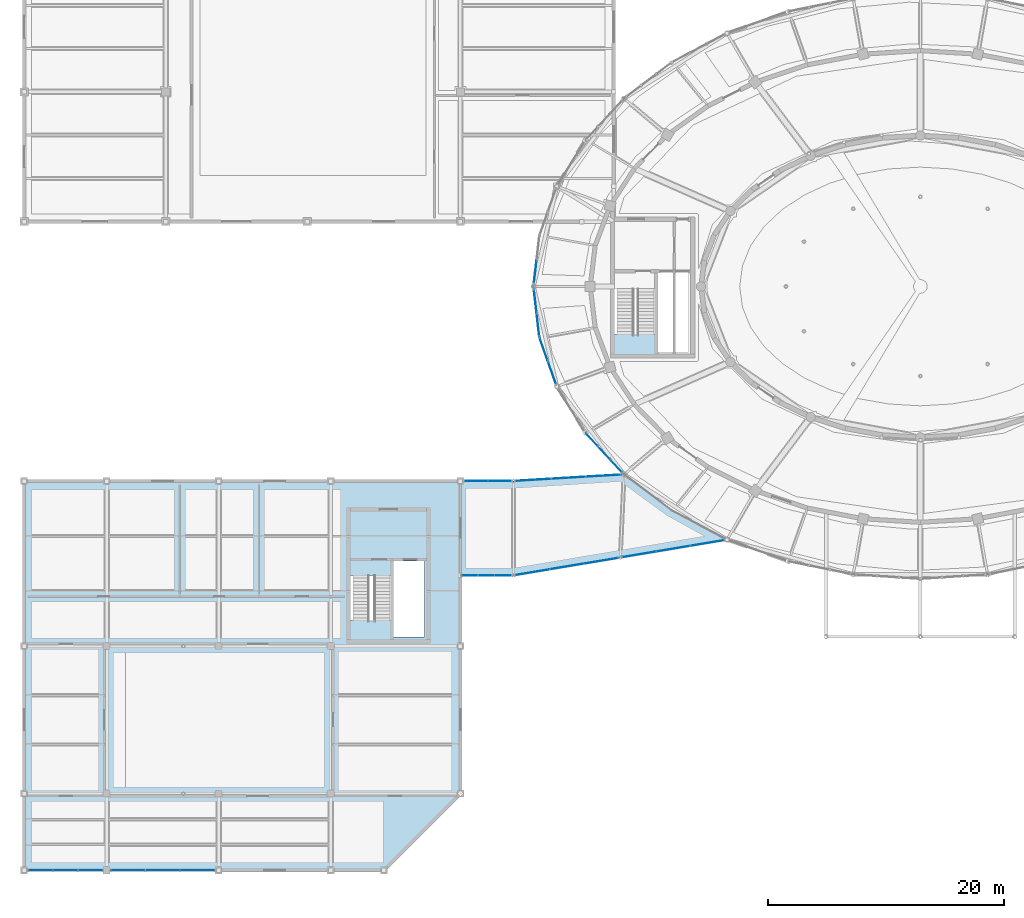
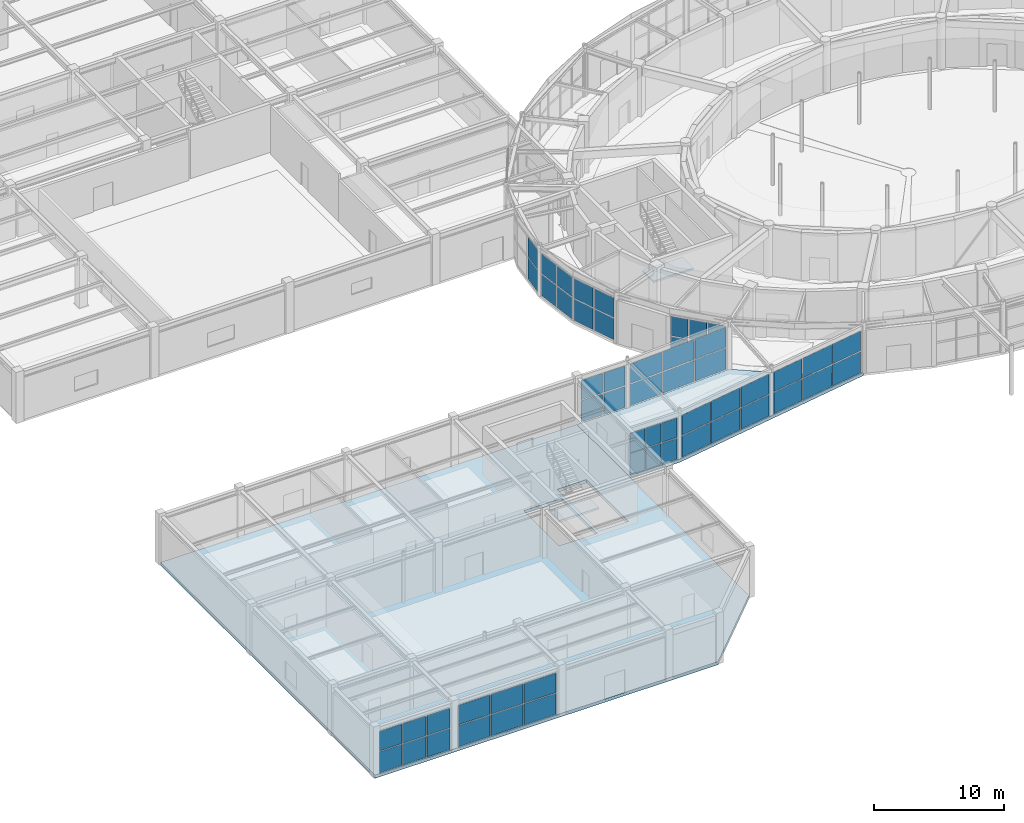
# One storey, part 77 of 108: 56 plates, 4 slabs, 13 elements without a shape of their own.
"""IFC4 building model written with IfcOpenShell, lengths in metres."""

from ifc_helpers import new_model, si_unit, direction, frame, origin, origin_2d, place, context, subcontext, project, spatial, polyline, rectangle, outline, extrude, material, layer, layer_set, type_object, element, aggregate, save


model = new_model("IFC4")

# Units and contexts
model_context = context("Model", 3, precision=1e-05, world=origin(), true_north=direction((0.0, 1.0)))
body_context = subcontext(model_context, "Body", "Model", "MODEL_VIEW")
ifc_project = project(units=[si_unit("LENGTHUNIT", "METRE"), si_unit("AREAUNIT", "SQUARE_METRE"), si_unit("VOLUMEUNIT", "CUBIC_METRE"), si_unit("PLANEANGLEUNIT", "RADIAN"), si_unit("MASSUNIT", "GRAM", prefix="KILO")], contexts=[model_context])

# Site, building, storey
site_placement = place(None, origin())
site = spatial("IfcSite", under=ifc_project, at=site_placement, CompositionType="ELEMENT")
building_placement = place(site_placement, origin())
building = spatial("IfcBuilding", under=site, at=building_placement, Name="Tarnveldt Headland Concert Hall", CompositionType="ELEMENT")
storey_placement = place(building_placement, origin())
storey = spatial("IfcBuildingStorey", under=building, at=storey_placement, Name="L00", CompositionType="ELEMENT", Elevation=0.0)

# Curtain wall, plates
ifc_material_1 = material(Name="Marine-anodised aluminium EN AW-6063-T6", Category="aluminium")
curtain_wall_type_1 = type_object("IfcCurtainWallType", Name="CW-F1", PredefinedType="NOTDEFINED", material=ifc_material_1)
curtain_wall_1_placement = place(storey_placement, origin())
curtain_wall_1 = element("IfcCurtainWall", 1, at=curtain_wall_1_placement, inside=storey, type_object=curtain_wall_type_1, Name="Curtain wall CW-L00-014", PredefinedType="NOTDEFINED")
ifc_material_2 = material(Name="Acoustic laminated low-iron double glazing", Category="glass")
ifc_layer_1 = layer(ifc_material_2, 0.031982421875, Name="Acoustic laminated low-iron double glazing", Category="glass")
ifc_layer_set_1 = layer_set([ifc_layer_1], Name="Acoustic laminated low-iron double glazing")
plate_type_1 = type_object("IfcPlateType", Name="PN-F1", PredefinedType="CURTAIN_PANEL", material=ifc_layer_set_1)
plate_1_placement = place(storey_placement, frame((50.844482421875, 55.747802734375, 0.097412109375), z_axis=(0.0, 0.0, 1.0), x_axis=(-0.114937150493, -0.9933727656, 0.0)))
plate_1 = element("IfcPlate", 2, at=plate_1_placement, type_object=plate_type_1, Name="Glazed panel CW-L00-014-2-1", PredefinedType="CURTAIN_PANEL", context=body_context, shape_type="SweptSolid", body=[
    extrude(rectangle(XDim=1.906982421875, YDim=0.031982421875, at=origin_2d()), origin(), (0.0, 0.0, 1.0), 2.0078125),
])
plate_2_placement = place(storey_placement, frame((50.844482421875, 55.747802734375, 2.2001953125), z_axis=(0.0, 0.0, 1.0), x_axis=(-0.114937150493, -0.9933727656, 0.0)))
plate_2 = element("IfcPlate", 3, at=plate_2_placement, type_object=plate_type_1, Name="Glazed panel CW-L00-014-2-2", PredefinedType="CURTAIN_PANEL", context=body_context, shape_type="SweptSolid", body=[
    extrude(rectangle(XDim=1.906982421875, YDim=0.031982421875, at=origin_2d()), origin(), (0.0, 0.0, 1.0), 1.84228515625),
])
aggregate(curtain_wall_1, [plate_1, plate_2])

curtain_wall_2_placement = place(storey_placement, origin())
curtain_wall_2 = element("IfcCurtainWall", 4, at=curtain_wall_2_placement, inside=storey, type_object=curtain_wall_type_1, Name="Curtain wall CW-L00-015", PredefinedType="NOTDEFINED")
plate_3_placement = place(storey_placement, frame((50.844482421875, 53.252197265625, 0.097412109375), z_axis=(0.0, 0.0, 1.0), x_axis=(0.114937150493, -0.9933727656, 0.0)))
plate_3 = element("IfcPlate", 5, at=plate_3_placement, type_object=plate_type_1, Name="Glazed panel CW-L00-015-1-1", PredefinedType="CURTAIN_PANEL", context=body_context, shape_type="SweptSolid", body=[
    extrude(rectangle(XDim=1.906982421875, YDim=0.031982421875, at=origin_2d()), origin(), (0.0, 0.0, 1.0), 2.0078125),
])
plate_4_placement = place(storey_placement, frame((50.844482421875, 53.252197265625, 2.2001953125), z_axis=(0.0, 0.0, 1.0), x_axis=(0.114937150493, -0.9933727656, 0.0)))
plate_4 = element("IfcPlate", 6, at=plate_4_placement, type_object=plate_type_1, Name="Glazed panel CW-L00-015-1-2", PredefinedType="CURTAIN_PANEL", context=body_context, shape_type="SweptSolid", body=[
    extrude(rectangle(XDim=1.906982421875, YDim=0.031982421875, at=origin_2d()), origin(), (0.0, 0.0, 1.0), 1.84228515625),
])
plate_5_placement = place(storey_placement, frame((51.077392578125, 51.239501953125, 0.097412109375), z_axis=(0.0, 0.0, 1.0), x_axis=(0.114937150493, -0.9933727656, 0.0)))
plate_5 = element("IfcPlate", 7, at=plate_5_placement, type_object=plate_type_1, Name="Glazed panel CW-L00-015-2-1", PredefinedType="CURTAIN_PANEL", context=body_context, shape_type="SweptSolid", body=[
    extrude(rectangle(XDim=1.906982421875, YDim=0.031982421875, at=origin_2d()), origin(), (0.0, 0.0, 1.0), 2.0078125),
])
plate_6_placement = place(storey_placement, frame((51.077392578125, 51.239501953125, 2.2001953125), z_axis=(0.0, 0.0, 1.0), x_axis=(0.114937150493, -0.9933727656, 0.0)))
plate_6 = element("IfcPlate", 8, at=plate_6_placement, type_object=plate_type_1, Name="Glazed panel CW-L00-015-2-2", PredefinedType="CURTAIN_PANEL", context=body_context, shape_type="SweptSolid", body=[
    extrude(rectangle(XDim=1.906982421875, YDim=0.031982421875, at=origin_2d()), origin(), (0.0, 0.0, 1.0), 1.84228515625),
])
aggregate(curtain_wall_2, [plate_3, plate_4, plate_5, plate_6])

curtain_wall_3_placement = place(storey_placement, origin())
curtain_wall_3 = element("IfcCurtainWall", 9, at=curtain_wall_3_placement, inside=storey, type_object=curtain_wall_type_1, Name="Curtain wall CW-L00-016", PredefinedType="NOTDEFINED")
plate_7_placement = place(storey_placement, frame((51.55810546875, 49.1787109375, 0.097412109375), z_axis=(0.0, 0.0, 1.0), x_axis=(0.334037180034, -0.94255989855, 0.0)))
plate_7 = element("IfcPlate", 10, at=plate_7_placement, type_object=plate_type_1, Name="Glazed panel CW-L00-016-1-1", PredefinedType="CURTAIN_PANEL", context=body_context, shape_type="SweptSolid", body=[
    extrude(rectangle(XDim=1.954345703125, YDim=0.031982421875, at=origin_2d()), origin(), (0.0, 0.0, 1.0), 2.0078125),
])
plate_8_placement = place(storey_placement, frame((51.55810546875, 49.1787109375, 2.2001953125), z_axis=(0.0, 0.0, 1.0), x_axis=(0.334037180034, -0.94255989855, 0.0)))
plate_8 = element("IfcPlate", 11, at=plate_8_placement, type_object=plate_type_1, Name="Glazed panel CW-L00-016-1-2", PredefinedType="CURTAIN_PANEL", context=body_context, shape_type="SweptSolid", body=[
    extrude(rectangle(XDim=1.954345703125, YDim=0.031982421875, at=origin_2d()), origin(), (0.0, 0.0, 1.0), 1.84228515625),
])
plate_9_placement = place(storey_placement, frame((52.25048828125, 47.224365234375, 0.097412109375), z_axis=(0.0, 0.0, 1.0), x_axis=(0.334037180034, -0.94255989855, 0.0)))
plate_9 = element("IfcPlate", 12, at=plate_9_placement, type_object=plate_type_1, Name="Glazed panel CW-L00-016-2-1", PredefinedType="CURTAIN_PANEL", context=body_context, shape_type="SweptSolid", body=[
    extrude(rectangle(XDim=1.954345703125, YDim=0.031982421875, at=origin_2d()), origin(), (0.0, 0.0, 1.0), 2.0078125),
])
plate_10_placement = place(storey_placement, frame((52.25048828125, 47.224365234375, 2.2001953125), z_axis=(0.0, 0.0, 1.0), x_axis=(0.334037180034, -0.94255989855, 0.0)))
plate_10 = element("IfcPlate", 13, at=plate_10_placement, type_object=plate_type_1, Name="Glazed panel CW-L00-016-2-2", PredefinedType="CURTAIN_PANEL", context=body_context, shape_type="SweptSolid", body=[
    extrude(rectangle(XDim=1.954345703125, YDim=0.031982421875, at=origin_2d()), origin(), (0.0, 0.0, 1.0), 1.84228515625),
])
aggregate(curtain_wall_3, [plate_7, plate_8, plate_9, plate_10])

curtain_wall_4_placement = place(storey_placement, origin())
curtain_wall_4 = element("IfcCurtainWall", 14, at=curtain_wall_4_placement, inside=storey, type_object=curtain_wall_type_1, Name="Curtain wall CW-L00-017", PredefinedType="NOTDEFINED")
plate_11_placement = place(storey_placement, frame((55.635986328125, 41.51513671875, 0.097412109375), z_axis=(0.0, 0.0, 1.0), x_axis=(0.67945411016, -0.733718005903, 0.0)))
plate_11 = element("IfcPlate", 15, at=plate_11_placement, type_object=plate_type_1, Name="Glazed panel CW-L00-017-1-1", PredefinedType="CURTAIN_PANEL", context=body_context, shape_type="SweptSolid", body=[
    extrude(rectangle(XDim=1.3955078125, YDim=0.031982421875, at=origin_2d()), origin(), (0.0, 0.0, 1.0), 1.9912109375),
])
plate_12_placement = place(storey_placement, frame((55.635986328125, 41.51513671875, 2.18359375), z_axis=(0.0, 0.0, 1.0), x_axis=(0.67945411016, -0.733718005903, 0.0)))
plate_12 = element("IfcPlate", 16, at=plate_12_placement, type_object=plate_type_1, Name="Glazed panel CW-L00-017-1-2", PredefinedType="CURTAIN_PANEL", context=body_context, shape_type="SweptSolid", body=[
    extrude(rectangle(XDim=1.3955078125, YDim=0.031982421875, at=origin_2d()), origin(), (0.0, 0.0, 1.0), 1.826904296875),
])
plate_13_placement = place(storey_placement, frame((56.6650390625, 40.404052734375, 0.097412109375), z_axis=(0.0, 0.0, 1.0), x_axis=(0.67945411016, -0.733718005903, 0.0)))
plate_13 = element("IfcPlate", 17, at=plate_13_placement, type_object=plate_type_1, Name="Glazed panel CW-L00-017-2-1", PredefinedType="CURTAIN_PANEL", context=body_context, shape_type="SweptSolid", body=[
    extrude(rectangle(XDim=1.3955078125, YDim=0.031982421875, at=origin_2d()), origin(), (0.0, 0.0, 1.0), 1.9912109375),
])
plate_14_placement = place(storey_placement, frame((56.6650390625, 40.404052734375, 2.18359375), z_axis=(0.0, 0.0, 1.0), x_axis=(0.67945411016, -0.733718005903, 0.0)))
plate_14 = element("IfcPlate", 18, at=plate_14_placement, type_object=plate_type_1, Name="Glazed panel CW-L00-017-2-2", PredefinedType="CURTAIN_PANEL", context=body_context, shape_type="SweptSolid", body=[
    extrude(rectangle(XDim=1.3955078125, YDim=0.031982421875, at=origin_2d()), origin(), (0.0, 0.0, 1.0), 1.826904296875),
])
plate_15_placement = place(storey_placement, frame((57.694091796875, 39.29296875, 0.097412109375), z_axis=(0.0, 0.0, 1.0), x_axis=(0.67945411016, -0.733718005903, 0.0)))
plate_15 = element("IfcPlate", 19, at=plate_15_placement, type_object=plate_type_1, Name="Glazed panel CW-L00-017-3-1", PredefinedType="CURTAIN_PANEL", context=body_context, shape_type="SweptSolid", body=[
    extrude(rectangle(XDim=1.3955078125, YDim=0.031982421875, at=origin_2d()), origin(), (0.0, 0.0, 1.0), 1.9912109375),
])
plate_16_placement = place(storey_placement, frame((57.694091796875, 39.29296875, 2.18359375), z_axis=(0.0, 0.0, 1.0), x_axis=(0.67945411016, -0.733718005903, 0.0)))
plate_16 = element("IfcPlate", 20, at=plate_16_placement, type_object=plate_type_1, Name="Glazed panel CW-L00-017-3-2", PredefinedType="CURTAIN_PANEL", context=body_context, shape_type="SweptSolid", body=[
    extrude(rectangle(XDim=1.3955078125, YDim=0.031982421875, at=origin_2d()), origin(), (0.0, 0.0, 1.0), 1.826904296875),
])
aggregate(curtain_wall_4, [plate_11, plate_12, plate_13, plate_14, plate_15, plate_16])

curtain_wall_type_2 = type_object("IfcCurtainWallType", Name="CW-L1", PredefinedType="NOTDEFINED", material=ifc_material_1)
curtain_wall_5_placement = place(storey_placement, origin())
curtain_wall_5 = element("IfcCurtainWall", 21, at=curtain_wall_5_placement, inside=storey, type_object=curtain_wall_type_2, Name="Curtain wall CW-L00-163", PredefinedType="NOTDEFINED")
ifc_layer_2 = layer(ifc_material_2, 0.029052734375, Name="Acoustic laminated low-iron double glazing", Category="glass")
ifc_layer_set_2 = layer_set([ifc_layer_2], Name="Acoustic laminated low-iron double glazing")
plate_type_2 = type_object("IfcPlateType", Name="PN-L1", PredefinedType="CURTAIN_PANEL", material=ifc_layer_set_2)
plate_17_placement = place(storey_placement, frame((8.893310546875, 5.0, 0.092529296875), z_axis=(0.0, 0.0, 1.0), x_axis=(1.0, 0.0, 0.0)))
plate_17 = element("IfcPlate", 22, at=plate_17_placement, type_object=plate_type_2, Name="Glazed panel CW-L00-163-1-1", PredefinedType="CURTAIN_PANEL", context=body_context, shape_type="SweptSolid", body=[
    extrude(rectangle(XDim=1.997802734375, YDim=0.029052734375, at=origin_2d()), origin(), (0.0, 0.0, 1.0), 1.97509765625),
])
plate_18_placement = place(storey_placement, frame((8.893310546875, 5.0, 2.15283203125), z_axis=(0.0, 0.0, 1.0), x_axis=(1.0, 0.0, 0.0)))
plate_18 = element("IfcPlate", 23, at=plate_18_placement, type_object=plate_type_2, Name="Glazed panel CW-L00-163-1-2", PredefinedType="CURTAIN_PANEL", context=body_context, shape_type="SweptSolid", body=[
    extrude(rectangle(XDim=1.997802734375, YDim=0.029052734375, at=origin_2d()), origin(), (0.0, 0.0, 1.0), 1.812744140625),
])
plate_19_placement = place(storey_placement, frame((11.0, 5.0, 0.092529296875), z_axis=(0.0, 0.0, 1.0), x_axis=(1.0, 0.0, 0.0)))
plate_19 = element("IfcPlate", 24, at=plate_19_placement, type_object=plate_type_2, Name="Glazed panel CW-L00-163-2-1", PredefinedType="CURTAIN_PANEL", context=body_context, shape_type="SweptSolid", body=[
    extrude(rectangle(XDim=1.997802734375, YDim=0.029052734375, at=origin_2d()), origin(), (0.0, 0.0, 1.0), 1.97509765625),
])
plate_20_placement = place(storey_placement, frame((11.0, 5.0, 2.15283203125), z_axis=(0.0, 0.0, 1.0), x_axis=(1.0, 0.0, 0.0)))
plate_20 = element("IfcPlate", 25, at=plate_20_placement, type_object=plate_type_2, Name="Glazed panel CW-L00-163-2-2", PredefinedType="CURTAIN_PANEL", context=body_context, shape_type="SweptSolid", body=[
    extrude(rectangle(XDim=1.997802734375, YDim=0.029052734375, at=origin_2d()), origin(), (0.0, 0.0, 1.0), 1.812744140625),
])
plate_21_placement = place(storey_placement, frame((13.106689453125, 5.0, 0.092529296875), z_axis=(0.0, 0.0, 1.0), x_axis=(1.0, 0.0, 0.0)))
plate_21 = element("IfcPlate", 26, at=plate_21_placement, type_object=plate_type_2, Name="Glazed panel CW-L00-163-3-1", PredefinedType="CURTAIN_PANEL", context=body_context, shape_type="SweptSolid", body=[
    extrude(rectangle(XDim=1.997802734375, YDim=0.029052734375, at=origin_2d()), origin(), (0.0, 0.0, 1.0), 1.97509765625),
])
plate_22_placement = place(storey_placement, frame((13.106689453125, 5.0, 2.15283203125), z_axis=(0.0, 0.0, 1.0), x_axis=(1.0, 0.0, 0.0)))
plate_22 = element("IfcPlate", 27, at=plate_22_placement, type_object=plate_type_2, Name="Glazed panel CW-L00-163-3-2", PredefinedType="CURTAIN_PANEL", context=body_context, shape_type="SweptSolid", body=[
    extrude(rectangle(XDim=1.997802734375, YDim=0.029052734375, at=origin_2d()), origin(), (0.0, 0.0, 1.0), 1.812744140625),
])
aggregate(curtain_wall_5, [plate_17, plate_18, plate_19, plate_20, plate_21, plate_22])

curtain_wall_6_placement = place(storey_placement, origin())
curtain_wall_6 = element("IfcCurtainWall", 28, at=curtain_wall_6_placement, inside=storey, type_object=curtain_wall_type_2, Name="Curtain wall CW-L00-164", PredefinedType="NOTDEFINED")
plate_23_placement = place(storey_placement, frame((16.31005859375, 5.0, 0.092529296875), z_axis=(0.0, 0.0, 1.0), x_axis=(1.0, 0.0, 0.0)))
plate_23 = element("IfcPlate", 29, at=plate_23_placement, type_object=plate_type_2, Name="Glazed panel CW-L00-164-1-1", PredefinedType="CURTAIN_PANEL", context=body_context, shape_type="SweptSolid", body=[
    extrude(rectangle(XDim=2.8310546875, YDim=0.029052734375, at=origin_2d()), origin(), (0.0, 0.0, 1.0), 1.97509765625),
])
plate_24_placement = place(storey_placement, frame((16.31005859375, 5.0, 2.15283203125), z_axis=(0.0, 0.0, 1.0), x_axis=(1.0, 0.0, 0.0)))
plate_24 = element("IfcPlate", 30, at=plate_24_placement, type_object=plate_type_2, Name="Glazed panel CW-L00-164-1-2", PredefinedType="CURTAIN_PANEL", context=body_context, shape_type="SweptSolid", body=[
    extrude(rectangle(XDim=2.8310546875, YDim=0.029052734375, at=origin_2d()), origin(), (0.0, 0.0, 1.0), 1.812744140625),
])
plate_25_placement = place(storey_placement, frame((19.25, 5.0, 0.092529296875), z_axis=(0.0, 0.0, 1.0), x_axis=(1.0, 0.0, 0.0)))
plate_25 = element("IfcPlate", 31, at=plate_25_placement, type_object=plate_type_2, Name="Glazed panel CW-L00-164-2-1", PredefinedType="CURTAIN_PANEL", context=body_context, shape_type="SweptSolid", body=[
    extrude(rectangle(XDim=2.8310546875, YDim=0.029052734375, at=origin_2d()), origin(), (0.0, 0.0, 1.0), 1.97509765625),
])
plate_26_placement = place(storey_placement, frame((19.25, 5.0, 2.15283203125), z_axis=(0.0, 0.0, 1.0), x_axis=(1.0, 0.0, 0.0)))
plate_26 = element("IfcPlate", 32, at=plate_26_placement, type_object=plate_type_2, Name="Glazed panel CW-L00-164-2-2", PredefinedType="CURTAIN_PANEL", context=body_context, shape_type="SweptSolid", body=[
    extrude(rectangle(XDim=2.8310546875, YDim=0.029052734375, at=origin_2d()), origin(), (0.0, 0.0, 1.0), 1.812744140625),
])
plate_27_placement = place(storey_placement, frame((22.18994140625, 5.0, 0.092529296875), z_axis=(0.0, 0.0, 1.0), x_axis=(1.0, 0.0, 0.0)))
plate_27 = element("IfcPlate", 33, at=plate_27_placement, type_object=plate_type_2, Name="Glazed panel CW-L00-164-3-1", PredefinedType="CURTAIN_PANEL", context=body_context, shape_type="SweptSolid", body=[
    extrude(rectangle(XDim=2.8310546875, YDim=0.029052734375, at=origin_2d()), origin(), (0.0, 0.0, 1.0), 1.97509765625),
])
plate_28_placement = place(storey_placement, frame((22.18994140625, 5.0, 2.15283203125), z_axis=(0.0, 0.0, 1.0), x_axis=(1.0, 0.0, 0.0)))
plate_28 = element("IfcPlate", 34, at=plate_28_placement, type_object=plate_type_2, Name="Glazed panel CW-L00-164-3-2", PredefinedType="CURTAIN_PANEL", context=body_context, shape_type="SweptSolid", body=[
    extrude(rectangle(XDim=2.8310546875, YDim=0.029052734375, at=origin_2d()), origin(), (0.0, 0.0, 1.0), 1.812744140625),
])
aggregate(curtain_wall_6, [plate_23, plate_24, plate_25, plate_26, plate_27, plate_28])

curtain_wall_7_placement = place(storey_placement, origin())
curtain_wall_7 = element("IfcCurtainWall", 35, at=curtain_wall_7_placement, inside=storey, type_object=curtain_wall_type_2, Name="Curtain wall CW-L00-167", PredefinedType="NOTDEFINED")
plate_29_placement = place(storey_placement, frame((45.25390625, 30.0, 0.092529296875), z_axis=(0.0, 0.0, 1.0), x_axis=(1.0, 0.0, 0.0)))
plate_29 = element("IfcPlate", 36, at=plate_29_placement, type_object=plate_type_2, Name="Glazed panel CW-L00-167-1-1", PredefinedType="CURTAIN_PANEL", context=body_context, shape_type="SweptSolid", body=[
    extrude(rectangle(XDim=1.31884765625, YDim=0.029052734375, at=origin_2d()), origin(), (0.0, 0.0, 1.0), 1.97509765625),
])
plate_30_placement = place(storey_placement, frame((45.25390625, 30.0, 2.15283203125), z_axis=(0.0, 0.0, 1.0), x_axis=(1.0, 0.0, 0.0)))
plate_30 = element("IfcPlate", 37, at=plate_30_placement, type_object=plate_type_2, Name="Glazed panel CW-L00-167-1-2", PredefinedType="CURTAIN_PANEL", context=body_context, shape_type="SweptSolid", body=[
    extrude(rectangle(XDim=1.31884765625, YDim=0.029052734375, at=origin_2d()), origin(), (0.0, 0.0, 1.0), 1.812744140625),
])
plate_31_placement = place(storey_placement, frame((46.681884765625, 30.0, 0.092529296875), z_axis=(0.0, 0.0, 1.0), x_axis=(1.0, 0.0, 0.0)))
plate_31 = element("IfcPlate", 38, at=plate_31_placement, type_object=plate_type_2, Name="Glazed panel CW-L00-167-2-1", PredefinedType="CURTAIN_PANEL", context=body_context, shape_type="SweptSolid", body=[
    extrude(rectangle(XDim=1.31884765625, YDim=0.029052734375, at=origin_2d()), origin(), (0.0, 0.0, 1.0), 1.97509765625),
])
plate_32_placement = place(storey_placement, frame((46.681884765625, 30.0, 2.15283203125), z_axis=(0.0, 0.0, 1.0), x_axis=(1.0, 0.0, 0.0)))
plate_32 = element("IfcPlate", 39, at=plate_32_placement, type_object=plate_type_2, Name="Glazed panel CW-L00-167-2-2", PredefinedType="CURTAIN_PANEL", context=body_context, shape_type="SweptSolid", body=[
    extrude(rectangle(XDim=1.31884765625, YDim=0.029052734375, at=origin_2d()), origin(), (0.0, 0.0, 1.0), 1.812744140625),
])
plate_33_placement = place(storey_placement, frame((48.109619140625, 30.0, 0.092529296875), z_axis=(0.0, 0.0, 1.0), x_axis=(1.0, 0.0, 0.0)))
plate_33 = element("IfcPlate", 40, at=plate_33_placement, type_object=plate_type_2, Name="Glazed panel CW-L00-167-3-1", PredefinedType="CURTAIN_PANEL", context=body_context, shape_type="SweptSolid", body=[
    extrude(rectangle(XDim=1.31884765625, YDim=0.029052734375, at=origin_2d()), origin(), (0.0, 0.0, 1.0), 1.97509765625),
])
plate_34_placement = place(storey_placement, frame((48.109619140625, 30.0, 2.15283203125), z_axis=(0.0, 0.0, 1.0), x_axis=(1.0, 0.0, 0.0)))
plate_34 = element("IfcPlate", 41, at=plate_34_placement, type_object=plate_type_2, Name="Glazed panel CW-L00-167-3-2", PredefinedType="CURTAIN_PANEL", context=body_context, shape_type="SweptSolid", body=[
    extrude(rectangle(XDim=1.31884765625, YDim=0.029052734375, at=origin_2d()), origin(), (0.0, 0.0, 1.0), 1.812744140625),
])
aggregate(curtain_wall_7, [plate_29, plate_30, plate_31, plate_32, plate_33, plate_34])

curtain_wall_8_placement = place(storey_placement, origin())
curtain_wall_8 = element("IfcCurtainWall", 42, at=curtain_wall_8_placement, inside=storey, type_object=curtain_wall_type_2, Name="Curtain wall CW-L00-168", PredefinedType="NOTDEFINED")
plate_35_placement = place(storey_placement, frame((50.62451171875, 30.271240234375, 0.09228515625), z_axis=(0.0, 0.0, 1.0), x_axis=(0.986343153931, 0.16470331719, 0.0)))
plate_35 = element("IfcPlate", 43, at=plate_35_placement, type_object=plate_type_2, Name="Glazed panel CW-L00-168-1-1", PredefinedType="CURTAIN_PANEL", context=body_context, shape_type="SweptSolid", body=[
    extrude(rectangle(XDim=2.831787109375, YDim=0.029052734375, at=origin_2d()), origin(), (0.0, 0.0, 1.0), 2.001220703125),
])
plate_36_placement = place(storey_placement, frame((50.62451171875, 30.271240234375, 2.1787109375), z_axis=(0.0, 0.0, 1.0), x_axis=(0.986343153931, 0.16470331719, 0.0)))
plate_36 = element("IfcPlate", 44, at=plate_36_placement, type_object=plate_type_2, Name="Glazed panel CW-L00-168-1-2", PredefinedType="CURTAIN_PANEL", context=body_context, shape_type="SweptSolid", body=[
    extrude(rectangle(XDim=2.831787109375, YDim=0.029052734375, at=origin_2d()), origin(), (0.0, 0.0, 1.0), 1.8369140625),
])
plate_37_placement = place(storey_placement, frame((53.52490234375, 30.755615234375, 0.09228515625), z_axis=(0.0, 0.0, 1.0), x_axis=(0.986343153931, 0.16470331719, 0.0)))
plate_37 = element("IfcPlate", 45, at=plate_37_placement, type_object=plate_type_2, Name="Glazed panel CW-L00-168-2-1", PredefinedType="CURTAIN_PANEL", context=body_context, shape_type="SweptSolid", body=[
    extrude(rectangle(XDim=2.831787109375, YDim=0.029052734375, at=origin_2d()), origin(), (0.0, 0.0, 1.0), 2.001220703125),
])
plate_38_placement = place(storey_placement, frame((53.52490234375, 30.755615234375, 2.1787109375), z_axis=(0.0, 0.0, 1.0), x_axis=(0.986343153931, 0.16470331719, 0.0)))
plate_38 = element("IfcPlate", 46, at=plate_38_placement, type_object=plate_type_2, Name="Glazed panel CW-L00-168-2-2", PredefinedType="CURTAIN_PANEL", context=body_context, shape_type="SweptSolid", body=[
    extrude(rectangle(XDim=2.831787109375, YDim=0.029052734375, at=origin_2d()), origin(), (0.0, 0.0, 1.0), 1.8369140625),
])
plate_39_placement = place(storey_placement, frame((56.425537109375, 31.239990234375, 0.09228515625), z_axis=(0.0, 0.0, 1.0), x_axis=(0.986343153931, 0.16470331719, 0.0)))
plate_39 = element("IfcPlate", 47, at=plate_39_placement, type_object=plate_type_2, Name="Glazed panel CW-L00-168-3-1", PredefinedType="CURTAIN_PANEL", context=body_context, shape_type="SweptSolid", body=[
    extrude(rectangle(XDim=2.831787109375, YDim=0.029052734375, at=origin_2d()), origin(), (0.0, 0.0, 1.0), 2.001220703125),
])
plate_40_placement = place(storey_placement, frame((56.425537109375, 31.239990234375, 2.1787109375), z_axis=(0.0, 0.0, 1.0), x_axis=(0.986343153931, 0.16470331719, 0.0)))
plate_40 = element("IfcPlate", 48, at=plate_40_placement, type_object=plate_type_2, Name="Glazed panel CW-L00-168-3-2", PredefinedType="CURTAIN_PANEL", context=body_context, shape_type="SweptSolid", body=[
    extrude(rectangle(XDim=2.831787109375, YDim=0.029052734375, at=origin_2d()), origin(), (0.0, 0.0, 1.0), 1.8369140625),
])
aggregate(curtain_wall_8, [plate_35, plate_36, plate_37, plate_38, plate_39, plate_40])

curtain_wall_9_placement = place(storey_placement, origin())
curtain_wall_9 = element("IfcCurtainWall", 49, at=curtain_wall_9_placement, inside=storey, type_object=curtain_wall_type_2, Name="Curtain wall CW-L00-169", PredefinedType="NOTDEFINED")
plate_41_placement = place(storey_placement, frame((59.663330078125, 31.78076171875, 0.09228515625), z_axis=(0.0, 0.0, 1.0), x_axis=(0.986343153931, 0.16470331719, 0.0)))
plate_41 = element("IfcPlate", 50, at=plate_41_placement, type_object=plate_type_2, Name="Glazed panel CW-L00-169-1-1", PredefinedType="CURTAIN_PANEL", context=body_context, shape_type="SweptSolid", body=[
    extrude(rectangle(XDim=2.8095703125, YDim=0.029052734375, at=origin_2d()), origin(), (0.0, 0.0, 1.0), 2.001220703125),
])
plate_42_placement = place(storey_placement, frame((59.663330078125, 31.78076171875, 2.1787109375), z_axis=(0.0, 0.0, 1.0), x_axis=(0.986343153931, 0.16470331719, 0.0)))
plate_42 = element("IfcPlate", 51, at=plate_42_placement, type_object=plate_type_2, Name="Glazed panel CW-L00-169-1-2", PredefinedType="CURTAIN_PANEL", context=body_context, shape_type="SweptSolid", body=[
    extrude(rectangle(XDim=2.8095703125, YDim=0.029052734375, at=origin_2d()), origin(), (0.0, 0.0, 1.0), 1.8369140625),
])
plate_43_placement = place(storey_placement, frame((62.5419921875, 32.261474609375, 0.09228515625), z_axis=(0.0, 0.0, 1.0), x_axis=(0.986343153931, 0.16470331719, 0.0)))
plate_43 = element("IfcPlate", 52, at=plate_43_placement, type_object=plate_type_2, Name="Glazed panel CW-L00-169-2-1", PredefinedType="CURTAIN_PANEL", context=body_context, shape_type="SweptSolid", body=[
    extrude(rectangle(XDim=2.8095703125, YDim=0.029052734375, at=origin_2d()), origin(), (0.0, 0.0, 1.0), 2.001220703125),
])
plate_44_placement = place(storey_placement, frame((62.5419921875, 32.261474609375, 2.1787109375), z_axis=(0.0, 0.0, 1.0), x_axis=(0.986343153931, 0.16470331719, 0.0)))
plate_44 = element("IfcPlate", 53, at=plate_44_placement, type_object=plate_type_2, Name="Glazed panel CW-L00-169-2-2", PredefinedType="CURTAIN_PANEL", context=body_context, shape_type="SweptSolid", body=[
    extrude(rectangle(XDim=2.8095703125, YDim=0.029052734375, at=origin_2d()), origin(), (0.0, 0.0, 1.0), 1.8369140625),
])
plate_45_placement = place(storey_placement, frame((65.4208984375, 32.7421875, 0.09228515625), z_axis=(0.0, 0.0, 1.0), x_axis=(0.986343153931, 0.16470331719, 0.0)))
plate_45 = element("IfcPlate", 54, at=plate_45_placement, type_object=plate_type_2, Name="Glazed panel CW-L00-169-3-1", PredefinedType="CURTAIN_PANEL", context=body_context, shape_type="SweptSolid", body=[
    extrude(rectangle(XDim=2.8095703125, YDim=0.029052734375, at=origin_2d()), origin(), (0.0, 0.0, 1.0), 2.001220703125),
])
plate_46_placement = place(storey_placement, frame((65.4208984375, 32.7421875, 2.1787109375), z_axis=(0.0, 0.0, 1.0), x_axis=(0.986343153931, 0.16470331719, 0.0)))
plate_46 = element("IfcPlate", 55, at=plate_46_placement, type_object=plate_type_2, Name="Glazed panel CW-L00-169-3-2", PredefinedType="CURTAIN_PANEL", context=body_context, shape_type="SweptSolid", body=[
    extrude(rectangle(XDim=2.8095703125, YDim=0.029052734375, at=origin_2d()), origin(), (0.0, 0.0, 1.0), 1.8369140625),
])
aggregate(curtain_wall_9, [plate_41, plate_42, plate_43, plate_44, plate_45, plate_46])

curtain_wall_10_placement = place(storey_placement, origin())
curtain_wall_10 = element("IfcCurtainWall", 56, at=curtain_wall_10_placement, inside=storey, type_object=curtain_wall_type_2, Name="Curtain wall CW-L00-170", PredefinedType="NOTDEFINED")
plate_47_placement = place(storey_placement, frame((45.8359375, 38.0, 0.09228515625), z_axis=(0.0, 0.0, 1.0), x_axis=(1.0, 0.0, 0.0)))
plate_47 = element("IfcPlate", 57, at=plate_47_placement, type_object=plate_type_2, Name="Glazed panel CW-L00-170-1-1", PredefinedType="CURTAIN_PANEL", context=body_context, shape_type="SweptSolid", body=[
    extrude(rectangle(XDim=1.8828125, YDim=0.029052734375, at=origin_2d()), origin(), (0.0, 0.0, 1.0), 2.001220703125),
])
plate_48_placement = place(storey_placement, frame((45.8359375, 38.0, 2.1787109375), z_axis=(0.0, 0.0, 1.0), x_axis=(1.0, 0.0, 0.0)))
plate_48 = element("IfcPlate", 58, at=plate_48_placement, type_object=plate_type_2, Name="Glazed panel CW-L00-170-1-2", PredefinedType="CURTAIN_PANEL", context=body_context, shape_type="SweptSolid", body=[
    extrude(rectangle(XDim=1.8828125, YDim=0.029052734375, at=origin_2d()), origin(), (0.0, 0.0, 1.0), 1.8369140625),
])
plate_49_placement = place(storey_placement, frame((47.82763671875, 38.0, 0.09228515625), z_axis=(0.0, 0.0, 1.0), x_axis=(1.0, 0.0, 0.0)))
plate_49 = element("IfcPlate", 59, at=plate_49_placement, type_object=plate_type_2, Name="Glazed panel CW-L00-170-2-1", PredefinedType="CURTAIN_PANEL", context=body_context, shape_type="SweptSolid", body=[
    extrude(rectangle(XDim=1.8828125, YDim=0.029052734375, at=origin_2d()), origin(), (0.0, 0.0, 1.0), 2.001220703125),
])
plate_50_placement = place(storey_placement, frame((47.82763671875, 38.0, 2.1787109375), z_axis=(0.0, 0.0, 1.0), x_axis=(1.0, 0.0, 0.0)))
plate_50 = element("IfcPlate", 60, at=plate_50_placement, type_object=plate_type_2, Name="Glazed panel CW-L00-170-2-2", PredefinedType="CURTAIN_PANEL", context=body_context, shape_type="SweptSolid", body=[
    extrude(rectangle(XDim=1.8828125, YDim=0.029052734375, at=origin_2d()), origin(), (0.0, 0.0, 1.0), 1.8369140625),
])
aggregate(curtain_wall_10, [plate_47, plate_48, plate_49, plate_50])

curtain_wall_11_placement = place(storey_placement, origin())
curtain_wall_11 = element("IfcCurtainWall", 61, at=curtain_wall_11_placement, inside=storey, type_object=curtain_wall_type_2, Name="Curtain wall CW-L00-171", PredefinedType="NOTDEFINED")
plate_51_placement = place(storey_placement, frame((50.668701171875, 38.099609375, 0.09228515625), z_axis=(0.0, 0.0, 1.0), x_axis=(0.998227384932, 0.059515443134, 0.0)))
plate_51 = element("IfcPlate", 62, at=plate_51_placement, type_object=plate_type_2, Name="Glazed panel CW-L00-171-1-1", PredefinedType="CURTAIN_PANEL", context=body_context, shape_type="SweptSolid", body=[
    extrude(rectangle(XDim=2.881103515625, YDim=0.029052734375, at=origin_2d()), origin(), (0.0, 0.0, 1.0), 2.001220703125),
])
plate_52_placement = place(storey_placement, frame((50.668701171875, 38.099609375, 2.1787109375), z_axis=(0.0, 0.0, 1.0), x_axis=(0.998227384932, 0.059515443134, 0.0)))
plate_52 = element("IfcPlate", 63, at=plate_52_placement, type_object=plate_type_2, Name="Glazed panel CW-L00-171-1-2", PredefinedType="CURTAIN_PANEL", context=body_context, shape_type="SweptSolid", body=[
    extrude(rectangle(XDim=2.881103515625, YDim=0.029052734375, at=origin_2d()), origin(), (0.0, 0.0, 1.0), 1.8369140625),
])
plate_53_placement = place(storey_placement, frame((53.653564453125, 38.277587890625, 0.09228515625), z_axis=(0.0, 0.0, 1.0), x_axis=(0.998227384932, 0.059515443134, 0.0)))
plate_53 = element("IfcPlate", 64, at=plate_53_placement, type_object=plate_type_2, Name="Glazed panel CW-L00-171-2-1", PredefinedType="CURTAIN_PANEL", context=body_context, shape_type="SweptSolid", body=[
    extrude(rectangle(XDim=2.881103515625, YDim=0.029052734375, at=origin_2d()), origin(), (0.0, 0.0, 1.0), 2.001220703125),
])
plate_54_placement = place(storey_placement, frame((53.653564453125, 38.277587890625, 2.1787109375), z_axis=(0.0, 0.0, 1.0), x_axis=(0.998227384932, 0.059515443134, 0.0)))
plate_54 = element("IfcPlate", 65, at=plate_54_placement, type_object=plate_type_2, Name="Glazed panel CW-L00-171-2-2", PredefinedType="CURTAIN_PANEL", context=body_context, shape_type="SweptSolid", body=[
    extrude(rectangle(XDim=2.881103515625, YDim=0.029052734375, at=origin_2d()), origin(), (0.0, 0.0, 1.0), 1.8369140625),
])
plate_55_placement = place(storey_placement, frame((56.638427734375, 38.455322265625, 0.09228515625), z_axis=(0.0, 0.0, 1.0), x_axis=(0.998227384932, 0.059515443134, 0.0)))
plate_55 = element("IfcPlate", 66, at=plate_55_placement, type_object=plate_type_2, Name="Glazed panel CW-L00-171-3-1", PredefinedType="CURTAIN_PANEL", context=body_context, shape_type="SweptSolid", body=[
    extrude(rectangle(XDim=2.881103515625, YDim=0.029052734375, at=origin_2d()), origin(), (0.0, 0.0, 1.0), 2.001220703125),
])
plate_56_placement = place(storey_placement, frame((56.638427734375, 38.455322265625, 2.1787109375), z_axis=(0.0, 0.0, 1.0), x_axis=(0.998227384932, 0.059515443134, 0.0)))
plate_56 = element("IfcPlate", 67, at=plate_56_placement, type_object=plate_type_2, Name="Glazed panel CW-L00-171-3-2", PredefinedType="CURTAIN_PANEL", context=body_context, shape_type="SweptSolid", body=[
    extrude(rectangle(XDim=2.881103515625, YDim=0.029052734375, at=origin_2d()), origin(), (0.0, 0.0, 1.0), 1.8369140625),
])
aggregate(curtain_wall_11, [plate_51, plate_52, plate_53, plate_54, plate_55, plate_56])

# Slabs
ifc_material_3 = material(Name="Concrete C40/50", Category="concrete")
ifc_layer_3 = layer(ifc_material_3, 0.300048828125, Name="Concrete C40/50", Category="concrete")
ifc_layer_set_3 = layer_set([ifc_layer_3], Name="Concrete C40/50")
slab_type_1 = type_object("IfcSlabType", Name="SL-FL300", PredefinedType="FLOOR", material=ifc_layer_set_3)
slab_1_placement = place(storey_placement, frame((0.0, 0.0, -0.300048828125)))
element("IfcSlab", 68, at=slab_1_placement, inside=storey, type_object=slab_type_1, Name="Chamber pavilion floor slab L00", PredefinedType="FLOOR", context=body_context, shape_type="SweptSolid", body=[
    extrude(outline(polyline([(44.5, 38.0), (7.5, 38.0), (7.5, 5.0), (38.0, 5.0), (44.5, 11.5), (44.5, 38.0)]), holes=[polyline([(35.179931640625, 30.0), (38.56005859375, 30.0), (38.56005859375, 24.580078125), (35.179931640625, 24.580078125), (35.179931640625, 30.0)]), polyline([(41.43994140625, 31.2099609375), (41.43994140625, 24.760009765625), (38.840087890625, 24.760009765625), (38.840087890625, 31.2099609375), (41.43994140625, 31.2099609375)])]), origin(), (0.0, 0.0, 1.0), 0.300048828125),
])
slab_2_placement = place(storey_placement, frame((0.0, 0.0, -0.300048828125)))
element("IfcSlab", 69, at=slab_2_placement, inside=storey, type_object=slab_type_1, Name="Acoustic link floor slab L00", PredefinedType="FLOOR", context=body_context, shape_type="SweptSolid", body=[
    extrude(outline(polyline([(44.5, 30.0), (49.0, 30.0), (67.10009765625, 33.022705078125), (62.41650390625, 35.502197265625), (58.373779296875, 38.558837890625), (49.0, 38.0), (44.5, 38.0), (44.5, 30.0)])), origin(), (0.0, 0.0, 1.0), 0.300048828125),
])

# Stair, slab
stair_type_1 = type_object("IfcStairType", Name="ST-CORE480", PredefinedType="HALF_TURN_STAIR", material=ifc_material_3)
stair_1_placement = place(storey_placement, origin())
stair_1 = element("IfcStair", 70, at=stair_1_placement, inside=storey, type_object=stair_type_1, Name="Exit stair STR-C1-L00", PredefinedType="HALF_TURN_STAIR")
ifc_layer_4 = layer(ifc_material_3, 0.179931640625, Name="Concrete C40/50", Category="concrete")
ifc_layer_set_4 = layer_set([ifc_layer_4], Name="Concrete C40/50")
slab_type_2 = type_object("IfcSlabType", Name="SL-STLND180", PredefinedType="LANDING", material=ifc_layer_set_4)
slab_3_placement = place(storey_placement, frame((0.0, 0.0, 2.219970703125)))
slab_3 = element("IfcSlab", 71, at=slab_3_placement, type_object=slab_type_2, Name="Stair half-landing STR-C1-L00", PredefinedType="LANDING", context=body_context, shape_type="SweptSolid", body=[
    extrude(outline(polyline([(57.52001953125, 48.719970703125), (61.080078125, 48.719970703125), (61.080078125, 50.43994140625), (57.52001953125, 50.43994140625), (57.52001953125, 48.719970703125)])), origin(), (0.0, 0.0, 1.0), 0.179931640625),
])
aggregate(stair_1, [slab_3])

stair_type_2 = type_object("IfcStairType", Name="ST-C5-480", PredefinedType="HALF_TURN_STAIR", material=ifc_material_3)
stair_2_placement = place(storey_placement, origin())
stair_2 = element("IfcStair", 72, at=stair_2_placement, inside=storey, type_object=stair_type_2, Name="Exit stair STR-C5-L00", PredefinedType="HALF_TURN_STAIR")
slab_4_placement = place(storey_placement, frame((0.0, 0.0, 2.219970703125)))
slab_4 = element("IfcSlab", 73, at=slab_4_placement, type_object=slab_type_2, Name="Stair half-landing STR-C5-L00", PredefinedType="LANDING", context=body_context, shape_type="SweptSolid", body=[
    extrude(outline(polyline([(35.1201171875, 24.52001953125), (38.679931640625, 24.52001953125), (38.679931640625, 26.159912109375), (35.1201171875, 26.159912109375), (35.1201171875, 24.52001953125)])), origin(), (0.0, 0.0, 1.0), 0.179931640625),
])
aggregate(stair_2, [slab_4])

save(model, "model.ifc")
